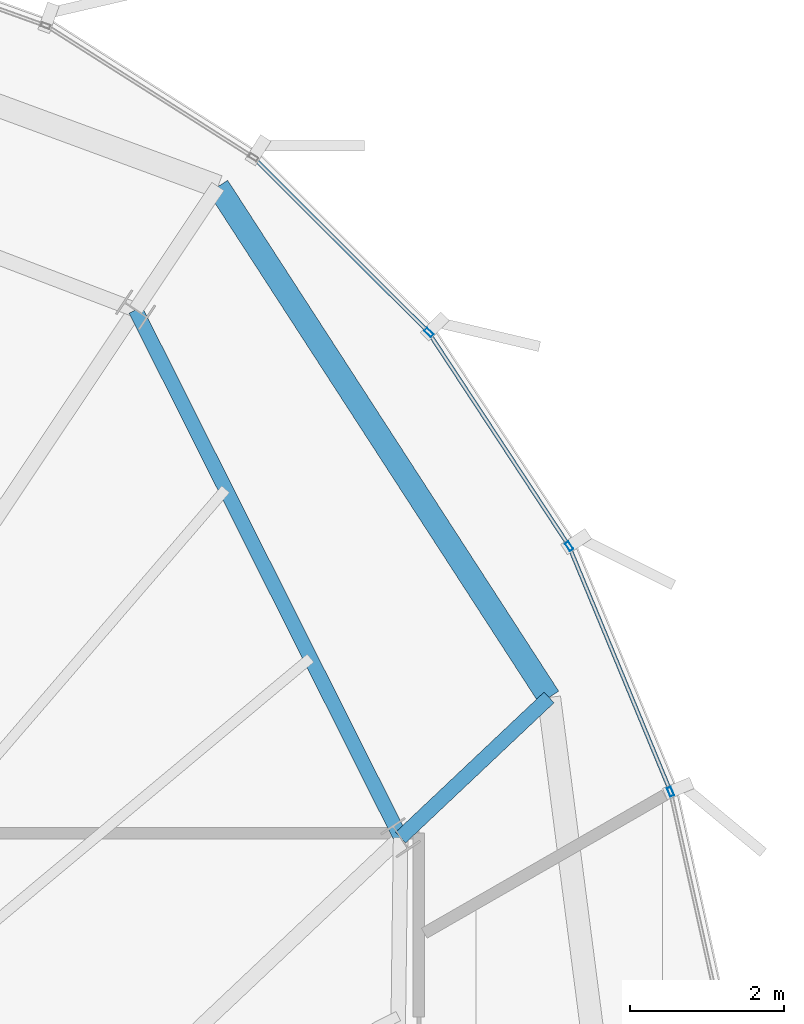
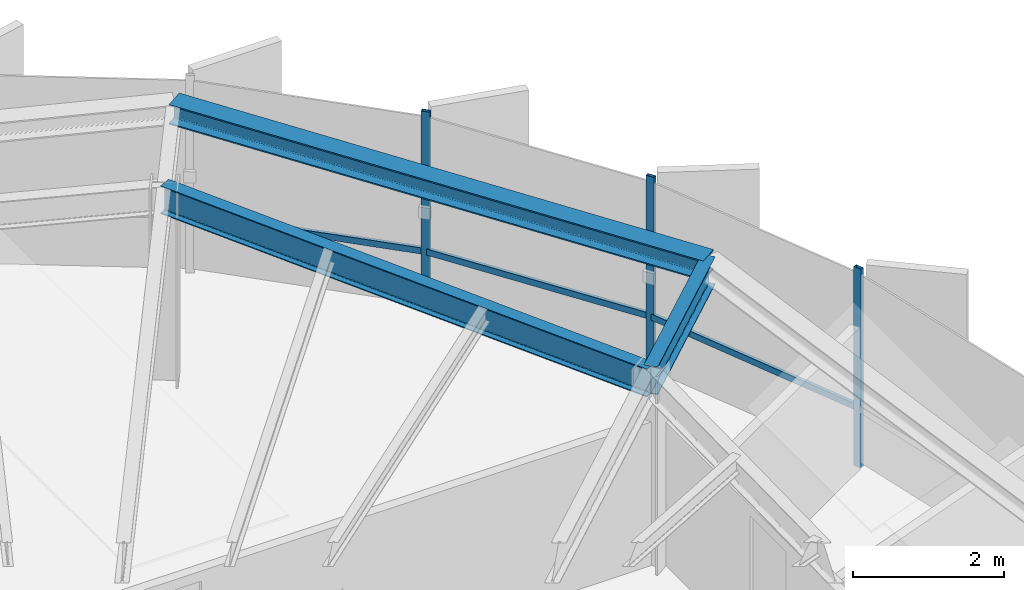
# One storey, part 23 of 31: 6 members, 3 beams, 1 element without a shape of its own.
"""IFC4 building model written with IfcOpenShell, lengths in metres."""

from ifc_helpers import new_model, si_unit, direction, frame, origin, origin_2d, place, context, subcontext, project, spatial, hollow_rectangle, i_section, extrude, source, transform, mapped, material, layer, layer_set, material_profile, profile_set, type_object, element, aggregate, save


model = new_model("IFC4")

# Units and contexts
model_context = context("Model", 3, precision=1e-05, world=origin(), true_north=direction((0.0, 1.0)))
body_context = subcontext(model_context, "Body", "Model", "MODEL_VIEW")
ifc_project = project(units=[si_unit("LENGTHUNIT", "METRE"), si_unit("AREAUNIT", "SQUARE_METRE"), si_unit("VOLUMEUNIT", "CUBIC_METRE"), si_unit("PLANEANGLEUNIT", "RADIAN"), si_unit("MASSUNIT", "GRAM", prefix="KILO"), si_unit("THERMODYNAMICTEMPERATUREUNIT", "KELVIN")], contexts=[model_context])

# Site, building, storey
site_placement = place(None, origin())
site = spatial("IfcSite", under=ifc_project, at=site_placement, CompositionType="ELEMENT")
building_placement = place(site_placement, origin())
building = spatial("IfcBuilding", under=site, at=building_placement, Name="Kethvar Cultural Tower", CompositionType="ELEMENT")
storey_placement = place(building_placement, frame((0.0, 0.0, 290.5)))
storey = spatial("IfcBuildingStorey", under=building, at=storey_placement, Name="L77", CompositionType="ELEMENT", Elevation=290.5)

# Beams
ifc_material_1 = material(Name="Steel S355J2", Category="steel")
ifc_material_profile_1 = material_profile(ifc_material_1, i_section(OverallWidth=0.18994140625, OverallDepth=0.449951171875, WebThickness=0.009521484375, FlangeThickness=0.0146484375, FilletRadius=0.02099609375, at=origin_2d()), Name="Steel S355J2 — IPE450")
ifc_profile_set_1 = profile_set([ifc_material_profile_1], Name="Steel S355J2 — IPE450")
beam_type_1 = type_object("IfcBeamType", Name="BM-IPE450", PredefinedType="BEAM", material=ifc_profile_set_1)
shared_shape_1 = source(origin(), body_context, "Body", "SweptSolid", [
    extrude(i_section(OverallWidth=0.18994140625, OverallDepth=0.449951171875, WebThickness=0.009521484375, FlangeThickness=0.0146484375, FilletRadius=0.02099609375, at=origin_2d()), origin(), (0.0, 0.0, 1.0), 7.68701171875),
])
beam_1_placement = place(storey_placement, frame((61.32568359375, 37.505859375, 2.98291015625), z_axis=(-0.448864354142, 0.893599905763, 0.0), x_axis=(-0.893599905763, -0.448864354142, 0.0)))
element("IfcBeam", 1, at=beam_1_placement, inside=storey, type_object=beam_type_1, Name="L77 Column Ring Tie Beam CR-02", PredefinedType="BEAM", context=body_context, shape_type="MappedRepresentation", body=[
    mapped(shared_shape_1, transform((0.0, 0.0, 0.0), scale=1.0)),
])
shared_shape_2 = source(origin(), body_context, "Body", "SweptSolid", [
    extrude(i_section(OverallWidth=0.18994140625, OverallDepth=0.449951171875, WebThickness=0.009521484375, FlangeThickness=0.0146484375, FilletRadius=0.02099609375, at=origin_2d()), origin(), (0.0, 0.0, 1.0), 2.656982421875),
])
beam_2_placement = place(storey_placement, frame((61.32568359375, 37.505859375, 2.98291015625), z_axis=(0.727211890777, 0.686413043228, 0.0), x_axis=(-0.686413043228, 0.727211890777, 0.0)))
element("IfcBeam", 2, at=beam_2_placement, inside=storey, type_object=beam_type_1, Name="L77 Perimeter Cantilever Beam RC-02", PredefinedType="BEAM", context=body_context, shape_type="MappedRepresentation", body=[
    mapped(shared_shape_2, transform((0.0, 0.0, 0.0), scale=1.0)),
])
ifc_material_profile_2 = material_profile(ifc_material_1, i_section(OverallWidth=0.300048828125, OverallDepth=0.320068359375, WebThickness=0.011474609375, FlangeThickness=0.0205078125, FilletRadius=0.027099609375, at=origin_2d()), Name="Steel S355J2 — HEB320")
ifc_profile_set_2 = profile_set([ifc_material_profile_2], Name="Steel S355J2 — HEB320")
beam_type_2 = type_object("IfcBeamType", Name="BM-SP320", PredefinedType="SPANDREL", material=ifc_profile_set_2)
shared_shape_3 = source(origin(), body_context, "Body", "SweptSolid", [
    extrude(i_section(OverallWidth=0.300048828125, OverallDepth=0.320068359375, WebThickness=0.011474609375, FlangeThickness=0.0205078125, FilletRadius=0.027099609375, at=origin_2d()), origin(), (0.0, 0.0, 1.0), 7.925048828125),
])
beam_3_placement = place(storey_placement, frame((63.2578125, 39.32958984375, 3.048095703125), z_axis=(-0.543847648774, 0.839183969653, 0.0), x_axis=(-0.839183969653, -0.543847648774, 0.0)))
element("IfcBeam", 3, at=beam_3_placement, inside=storey, type_object=beam_type_2, Name="L77 Perimeter Spandrel Beam SP-02", PredefinedType="SPANDREL", context=body_context, shape_type="MappedRepresentation", body=[
    mapped(shared_shape_3, transform((0.0, 0.0, 0.0), scale=1.0)),
])

# Curtain wall, members
ifc_material_2 = material(Name="Aluminium 6063-T6", Category="aluminium")
ifc_layer = layer(ifc_material_2, 0.179931640625, Name="Aluminium 6063-T6", Category="aluminium")
ifc_layer_set = layer_set([ifc_layer], Name="Aluminium 6063-T6 (180 mm)")
curtain_wall_type = type_object("IfcCurtainWallType", Name="CW-SYS-05-Z56", PredefinedType="NOTDEFINED", material=ifc_layer_set)
curtain_wall_placement = place(storey_placement, origin())
curtain_wall = element("IfcCurtainWall", 4, at=curtain_wall_placement, inside=storey, type_object=curtain_wall_type, Name="L77 Curtain Wall Run 06", PredefinedType="NOTDEFINED")
ifc_material_profile_3 = material_profile(ifc_material_2, hollow_rectangle(XDim=0.054931640625, YDim=0.1201171875, WallThickness=0.00390625, at=origin_2d()), Name="Aluminium 6063-T6 — RHS120x55x4")
ifc_profile_set_3 = profile_set([ifc_material_profile_3], Name="Aluminium 6063-T6 — RHS120x55x4")
member_type_1 = type_object("IfcMemberType", Name="CW-SYS-05-Z56-MUL", PredefinedType="MULLION", material=ifc_profile_set_3)
shared_shape_4 = source(origin(), body_context, "Body", "SweptSolid", [
    extrude(hollow_rectangle(XDim=0.054931640625, YDim=0.1201171875, WallThickness=0.00390625, at=origin_2d()), origin(), (0.0, 0.0, 1.0), 3.2099609375),
])
member_1_placement = place(storey_placement, frame((64.839599609375, 38.102783203125, 0.0), z_axis=(0.0, 0.0, 1.0), x_axis=(-0.924046421706, -0.382280277456, 0.0)))
member_1 = element("IfcMember", 5, at=member_1_placement, type_object=member_type_1, Name="CW-L77-R06 Mullion 3", PredefinedType="MULLION", context=body_context, shape_type="MappedRepresentation", body=[
    mapped(shared_shape_4, transform((0.0, 0.0, 0.0), scale=1.0)),
])
member_2_placement = place(storey_placement, frame((63.51953125, 41.298095703125, 0.0), z_axis=(0.0, 0.0, 1.0), x_axis=(-0.835548547668, -0.549416621964, 0.0)))
member_2 = element("IfcMember", 6, at=member_2_placement, type_object=member_type_1, Name="CW-L77-R06 Mullion 4", PredefinedType="MULLION", context=body_context, shape_type="MappedRepresentation", body=[
    mapped(shared_shape_4, transform((0.0, 0.0, 0.0), scale=1.0)),
])
member_3_placement = place(storey_placement, frame((61.6923828125, 44.080810546875, 0.0), z_axis=(0.0, 0.0, 1.0), x_axis=(-0.706044629678, -0.708167339618, 0.0)))
member_3 = element("IfcMember", 7, at=member_3_placement, type_object=member_type_1, Name="CW-L77-R06 Mullion 5", PredefinedType="MULLION", context=body_context, shape_type="MappedRepresentation", body=[
    mapped(shared_shape_4, transform((0.0, 0.0, 0.0), scale=1.0)),
])
ifc_material_profile_4 = material_profile(ifc_material_2, hollow_rectangle(XDim=0.050048828125, YDim=0.10009765625, WallThickness=0.00390625, at=origin_2d()), Name="Aluminium 6063-T6 — RHS100x50x4")
ifc_profile_set_4 = profile_set([ifc_material_profile_4], Name="Aluminium 6063-T6 — RHS100x50x4")
member_type_2 = type_object("IfcMemberType", Name="CW-SYS-05-Z56-TRN", PredefinedType="USERDEFINED", material=ifc_profile_set_4)
shared_shape_5 = source(origin(), body_context, "Body", "SweptSolid", [
    extrude(hollow_rectangle(XDim=0.050048828125, YDim=0.10009765625, WallThickness=0.00390625, at=origin_2d()), origin(), (0.0, 0.0, 1.0), 3.167724609375),
])
member_4_placement = place(storey_placement, frame((61.664306640625, 44.10888671875, 0.949951171875), z_axis=(-0.70818492077, 0.70602699523, 0.0), x_axis=(-0.70602699523, -0.70818492077, 0.0)))
member_4 = element("IfcMember", 8, at=member_4_placement, type_object=member_type_2, Name="CW-L77-R06 Transom 5", ObjectType="TRANSOM", PredefinedType="USERDEFINED", context=body_context, shape_type="MappedRepresentation", body=[
    mapped(shared_shape_5, transform((0.0, 0.0, 0.0), scale=1.0)),
])
shared_shape_6 = source(origin(), body_context, "Body", "SweptSolid", [
    extrude(hollow_rectangle(XDim=0.050048828125, YDim=0.10009765625, WallThickness=0.00390625, at=origin_2d()), origin(), (0.0, 0.0, 1.0), 3.270263671875),
])
member_5_placement = place(storey_placement, frame((63.497802734375, 41.331298828125, 0.949951171875), z_axis=(-0.549399837374, 0.835559584167, 0.0), x_axis=(-0.835559584167, -0.549399837374, 0.0)))
member_5 = element("IfcMember", 9, at=member_5_placement, type_object=member_type_2, Name="CW-L77-R06 Transom 4", ObjectType="TRANSOM", PredefinedType="USERDEFINED", context=body_context, shape_type="MappedRepresentation", body=[
    mapped(shared_shape_6, transform((0.0, 0.0, 0.0), scale=1.0)),
])
shared_shape_7 = source(origin(), body_context, "Body", "SweptSolid", [
    extrude(hollow_rectangle(XDim=0.050048828125, YDim=0.10009765625, WallThickness=0.00390625, at=origin_2d()), origin(), (0.0, 0.0, 1.0), 3.39697265625),
])
member_6_placement = place(storey_placement, frame((64.824462890625, 38.139404296875, 0.949951171875), z_axis=(-0.382281963647, 0.924045724123, 0.0), x_axis=(-0.924045724123, -0.382281963647, 0.0)))
member_6 = element("IfcMember", 10, at=member_6_placement, type_object=member_type_2, Name="CW-L77-R06 Transom 3", ObjectType="TRANSOM", PredefinedType="USERDEFINED", context=body_context, shape_type="MappedRepresentation", body=[
    mapped(shared_shape_7, transform((0.0, 0.0, 0.0), scale=1.0)),
])
aggregate(curtain_wall, [member_1, member_2, member_3, member_6, member_5, member_4])

save(model, "model.ifc")
